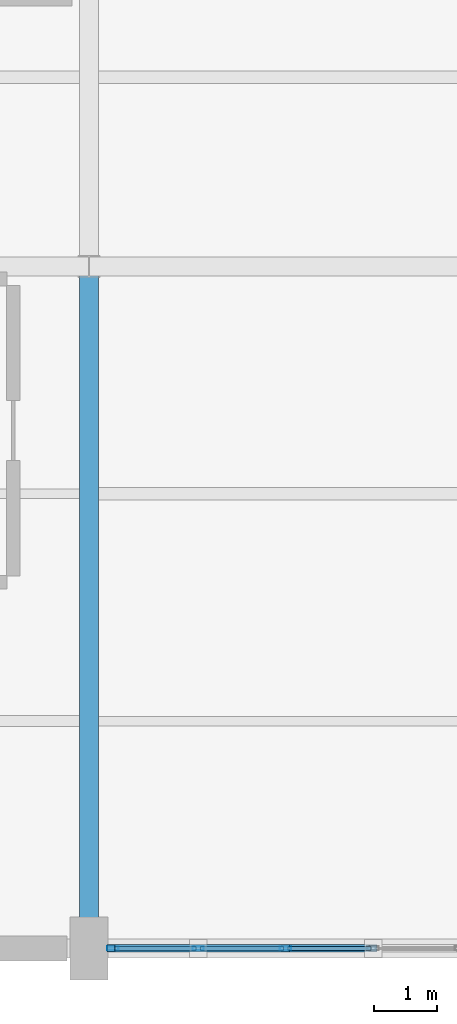
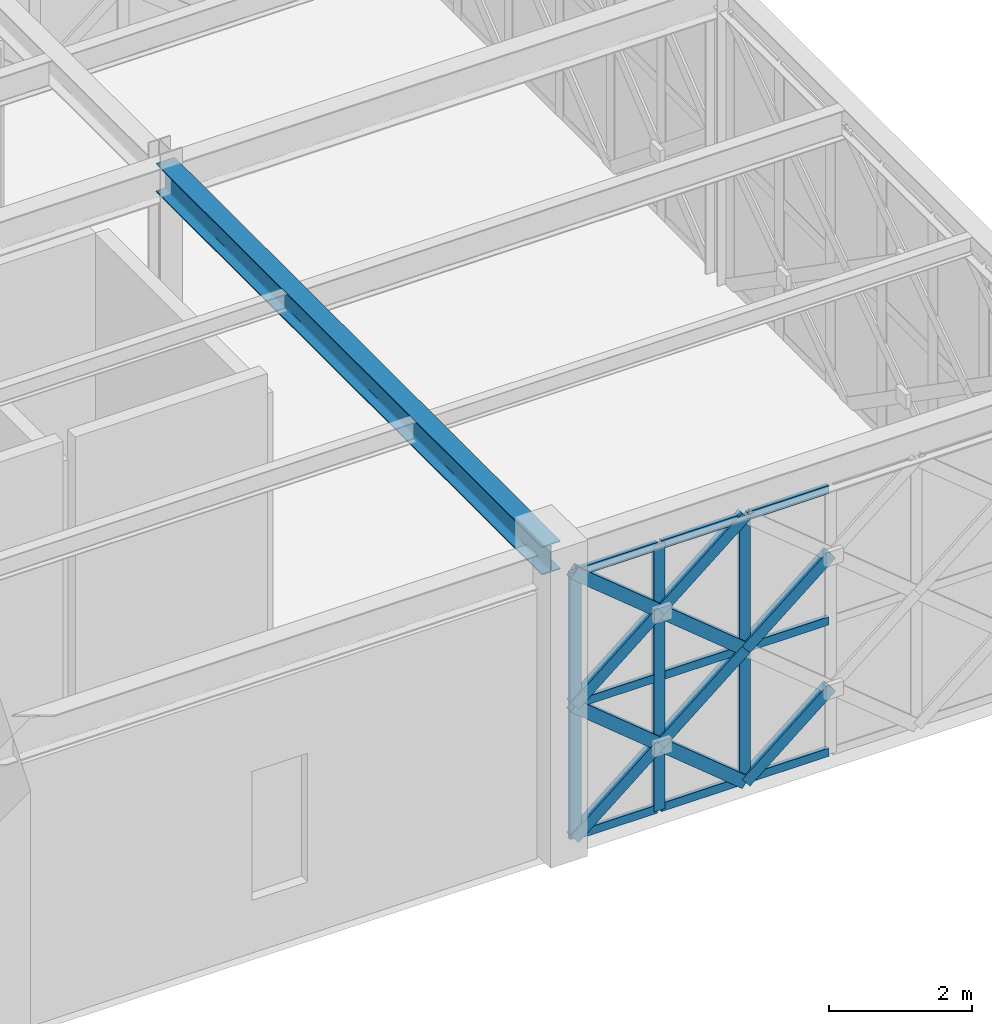
# One storey, part 33 of 166: 20 members, 1 beam, 1 element without a shape of its own.
"""IFC4 building model written with IfcOpenShell, lengths in metres."""

from ifc_helpers import new_model, si_unit, direction, frame, origin, origin_2d, place, context, subcontext, project, spatial, hollow_rectangle, i_section, extrude, material, material_profile, profile_set, type_object, element, aggregate, save


model = new_model("IFC4")

# Units and contexts
model_context = context("Model", 3, precision=1e-05, world=origin(), true_north=direction((0.0, 1.0)))
body_context = subcontext(model_context, "Body", "Model", "MODEL_VIEW")
ifc_project = project(units=[si_unit("LENGTHUNIT", "METRE"), si_unit("AREAUNIT", "SQUARE_METRE"), si_unit("VOLUMEUNIT", "CUBIC_METRE"), si_unit("PLANEANGLEUNIT", "RADIAN"), si_unit("MASSUNIT", "GRAM", prefix="KILO")], contexts=[model_context])

# Site, building, storey
site_placement = place(None, origin())
site = spatial("IfcSite", under=ifc_project, at=site_placement, CompositionType="ELEMENT")
building_placement = place(site_placement, origin())
building = spatial("IfcBuilding", under=site, at=building_placement, Name="Haizhuo Lancet Aquarium", CompositionType="ELEMENT")
storey_placement = place(building_placement, frame((0.0, 0.0, 5.39990234375)))
storey = spatial("IfcBuildingStorey", under=building, at=storey_placement, Name="L01", CompositionType="ELEMENT", Elevation=5.39990234375)

# Beam
ifc_material_1 = material(Name="Steel S355", Category="steel")
ifc_material_profile_1 = material_profile(ifc_material_1, i_section(OverallWidth=0.300048828125, OverallDepth=0.488037109375, WebThickness=0.010986328125, FlangeThickness=0.01806640625, FilletRadius=0.02392578125, at=origin_2d()), Name="HM 488x300x11x18")
ifc_profile_set_1 = profile_set([ifc_material_profile_1], Name="Steel S355")
beam_type = type_object("IfcBeamType", Name="BM-ST-HM488", PredefinedType="BEAM", material=ifc_profile_set_1)
beam_placement = place(storey_placement, frame((9.0, -55.800048828125, 4.89599609375), z_axis=(0.0, 1.0, 0.0), x_axis=(-1.0, 0.0, 0.0)))
element("IfcBeam", 1, at=beam_placement, inside=storey, type_object=beam_type, Name="L01 V4 primary girder BM-L01-V4-020", PredefinedType="BEAM", context=body_context, shape_type="SweptSolid", body=[
    extrude(i_section(OverallWidth=0.300048828125, OverallDepth=0.488037109375, WebThickness=0.010986328125, FlangeThickness=0.01806640625, FilletRadius=0.02392578125, at=origin_2d()), origin(), (0.0, 0.0, 1.0), 10.800048828125),
])

# Curtain wall, members
ifc_material_2 = material(Name="Aluminium 6063-T6", Category="aluminium")
curtain_wall_type = type_object("IfcCurtainWallType", Name="CWO-8310x4550", PredefinedType="NOTDEFINED", material=ifc_material_2)
curtain_wall_placement = place(storey_placement, origin())
curtain_wall = element("IfcCurtainWall", 2, at=curtain_wall_placement, inside=storey, type_object=curtain_wall_type, Name="L01 curtain wall CW-V4-L01-097", PredefinedType="NOTDEFINED")
ifc_material_profile_2 = material_profile(ifc_material_2, hollow_rectangle(XDim=0.06494140625, YDim=0.179931640625, WallThickness=0.00390625, at=origin_2d()), Name="ALU-M 65x180x4")
ifc_profile_set_2 = profile_set([ifc_material_profile_2], Name="Aluminium 6063-T6")
member_type_1 = type_object("IfcMemberType", Name="CW-MUL-1", PredefinedType="MULLION", material=ifc_profile_set_2)
member_1_placement = place(storey_placement, frame((12.114990234375, -55.800048828125, 0.0), z_axis=(0.0, 0.0, 1.0), x_axis=(0.0, -1.0, 0.0)))
member_1 = element("IfcMember", 3, at=member_1_placement, type_object=member_type_1, Name="CWO-83x45 mullion 5", PredefinedType="MULLION", context=body_context, shape_type="SweptSolid", body=[
    extrude(hollow_rectangle(XDim=0.06494140625, YDim=0.179931640625, WallThickness=0.00390625, at=origin_2d()), origin(), (0.0, 0.0, 1.0), 4.552001953125),
])
member_2_placement = place(storey_placement, frame((10.72998046875, -55.800048828125, 0.0), z_axis=(0.0, 0.0, 1.0), x_axis=(0.0, -1.0, 0.0)))
member_2 = element("IfcMember", 4, at=member_2_placement, type_object=member_type_1, Name="CWO-83x45 mullion 6", PredefinedType="MULLION", context=body_context, shape_type="SweptSolid", body=[
    extrude(hollow_rectangle(XDim=0.06494140625, YDim=0.179931640625, WallThickness=0.00390625, at=origin_2d()), origin(), (0.0, 0.0, 1.0), 4.552001953125),
])
member_3_placement = place(storey_placement, frame((9.3779296875, -55.800048828125, 0.0), z_axis=(0.0, 0.0, 1.0), x_axis=(0.0, -1.0, 0.0)))
member_3 = element("IfcMember", 5, at=member_3_placement, type_object=member_type_1, Name="CWO-83x45 mullion 7", PredefinedType="MULLION", context=body_context, shape_type="SweptSolid", body=[
    extrude(hollow_rectangle(XDim=0.06494140625, YDim=0.179931640625, WallThickness=0.00390625, at=origin_2d()), origin(), (0.0, 0.0, 1.0), 4.552001953125),
])
ifc_material_profile_3 = material_profile(ifc_material_2, hollow_rectangle(XDim=0.06494140625, YDim=0.139892578125, WallThickness=0.00390625, at=origin_2d()), Name="ALU-T 65x140x4")
ifc_profile_set_3 = profile_set([ifc_material_profile_3], Name="Aluminium 6063-T6")
member_type_2 = type_object("IfcMemberType", Name="CW-TRN-1", PredefinedType="NOTDEFINED", material=ifc_profile_set_3)
member_4_placement = place(storey_placement, frame((13.468017578125, -55.800048828125, 0.033203125), z_axis=(-1.0, 0.0, 0.0), x_axis=(0.0, -1.0, 0.0)))
member_4 = element("IfcMember", 6, at=member_4_placement, type_object=member_type_2, Name="CWO-83x45 transom 4.1", ObjectType="TRANSOM", PredefinedType="USERDEFINED", context=body_context, shape_type="SweptSolid", body=[
    extrude(hollow_rectangle(XDim=0.06494140625, YDim=0.139892578125, WallThickness=0.00390625, at=origin_2d()), origin(), (0.0, 0.0, 1.0), 1.320068359375),
])
member_5_placement = place(storey_placement, frame((13.468017578125, -55.800048828125, 2.276123046875), z_axis=(-1.0, 0.0, 0.0), x_axis=(0.0, -1.0, 0.0)))
member_5 = element("IfcMember", 7, at=member_5_placement, type_object=member_type_2, Name="CWO-83x45 transom 4.2", ObjectType="TRANSOM", PredefinedType="USERDEFINED", context=body_context, shape_type="SweptSolid", body=[
    extrude(hollow_rectangle(XDim=0.06494140625, YDim=0.139892578125, WallThickness=0.00390625, at=origin_2d()), origin(), (0.0, 0.0, 1.0), 1.320068359375),
])
member_6_placement = place(storey_placement, frame((13.468017578125, -55.800048828125, 4.51904296875), z_axis=(-1.0, 0.0, 0.0), x_axis=(0.0, -1.0, 0.0)))
member_6 = element("IfcMember", 8, at=member_6_placement, type_object=member_type_2, Name="CWO-83x45 transom 4.3", ObjectType="TRANSOM", PredefinedType="USERDEFINED", context=body_context, shape_type="SweptSolid", body=[
    extrude(hollow_rectangle(XDim=0.06494140625, YDim=0.139892578125, WallThickness=0.00390625, at=origin_2d()), origin(), (0.0, 0.0, 1.0), 1.320068359375),
])
member_7_placement = place(storey_placement, frame((12.0830078125, -55.800048828125, 0.033203125), z_axis=(-1.0, 0.0, 0.0), x_axis=(0.0, -1.0, 0.0)))
member_7 = element("IfcMember", 9, at=member_7_placement, type_object=member_type_2, Name="CWO-83x45 transom 5.1", ObjectType="TRANSOM", PredefinedType="USERDEFINED", context=body_context, shape_type="SweptSolid", body=[
    extrude(hollow_rectangle(XDim=0.06494140625, YDim=0.139892578125, WallThickness=0.00390625, at=origin_2d()), origin(), (0.0, 0.0, 1.0), 1.320068359375),
])
member_8_placement = place(storey_placement, frame((12.0830078125, -55.800048828125, 2.276123046875), z_axis=(-1.0, 0.0, 0.0), x_axis=(0.0, -1.0, 0.0)))
member_8 = element("IfcMember", 10, at=member_8_placement, type_object=member_type_2, Name="CWO-83x45 transom 5.2", ObjectType="TRANSOM", PredefinedType="USERDEFINED", context=body_context, shape_type="SweptSolid", body=[
    extrude(hollow_rectangle(XDim=0.06494140625, YDim=0.139892578125, WallThickness=0.00390625, at=origin_2d()), origin(), (0.0, 0.0, 1.0), 1.320068359375),
])
member_9_placement = place(storey_placement, frame((12.0830078125, -55.800048828125, 4.51904296875), z_axis=(-1.0, 0.0, 0.0), x_axis=(0.0, -1.0, 0.0)))
member_9 = element("IfcMember", 11, at=member_9_placement, type_object=member_type_2, Name="CWO-83x45 transom 5.3", ObjectType="TRANSOM", PredefinedType="USERDEFINED", context=body_context, shape_type="SweptSolid", body=[
    extrude(hollow_rectangle(XDim=0.06494140625, YDim=0.139892578125, WallThickness=0.00390625, at=origin_2d()), origin(), (0.0, 0.0, 1.0), 1.320068359375),
])
member_10_placement = place(storey_placement, frame((10.697998046875, -55.800048828125, 0.033203125), z_axis=(-1.0, 0.0, 0.0), x_axis=(0.0, -1.0, 0.0)))
member_10 = element("IfcMember", 12, at=member_10_placement, type_object=member_type_2, Name="CWO-83x45 transom 6.1", ObjectType="TRANSOM", PredefinedType="USERDEFINED", context=body_context, shape_type="SweptSolid", body=[
    extrude(hollow_rectangle(XDim=0.06494140625, YDim=0.139892578125, WallThickness=0.00390625, at=origin_2d()), origin(), (0.0, 0.0, 1.0), 1.2880859375),
])
member_11_placement = place(storey_placement, frame((10.697998046875, -55.800048828125, 2.276123046875), z_axis=(-1.0, 0.0, 0.0), x_axis=(0.0, -1.0, 0.0)))
member_11 = element("IfcMember", 13, at=member_11_placement, type_object=member_type_2, Name="CWO-83x45 transom 6.2", ObjectType="TRANSOM", PredefinedType="USERDEFINED", context=body_context, shape_type="SweptSolid", body=[
    extrude(hollow_rectangle(XDim=0.06494140625, YDim=0.139892578125, WallThickness=0.00390625, at=origin_2d()), origin(), (0.0, 0.0, 1.0), 1.2880859375),
])
member_12_placement = place(storey_placement, frame((10.697998046875, -55.800048828125, 4.51904296875), z_axis=(-1.0, 0.0, 0.0), x_axis=(0.0, -1.0, 0.0)))
member_12 = element("IfcMember", 14, at=member_12_placement, type_object=member_type_2, Name="CWO-83x45 transom 6.3", ObjectType="TRANSOM", PredefinedType="USERDEFINED", context=body_context, shape_type="SweptSolid", body=[
    extrude(hollow_rectangle(XDim=0.06494140625, YDim=0.139892578125, WallThickness=0.00390625, at=origin_2d()), origin(), (0.0, 0.0, 1.0), 1.2880859375),
])
aggregate(curtain_wall, [member_1, member_2, member_3, member_4, member_5, member_6, member_7, member_8, member_9, member_10, member_11, member_12])

# Members
ifc_material_profile_4 = material_profile(ifc_material_1, hollow_rectangle(XDim=0.1201171875, YDim=0.199951171875, WallThickness=0.008056640625, at=origin_2d()), Name="RHS 120x200x8")
ifc_profile_set_4 = profile_set([ifc_material_profile_4], Name="Steel S355")
member_type_3 = type_object("IfcMemberType", Name="MEM-LB-RHS120x200", PredefinedType="BRACE", material=ifc_profile_set_4)
member_13_placement = place(storey_placement, frame((12.114990234375, -55.800048828125, 0.0), z_axis=(0.77259025699, 0.0, 0.634904949425), x_axis=(0.0, 1.0, 0.0)))
element("IfcMember", 15, at=member_13_placement, inside=storey, type_object=member_type_3, Name="Gothic lancet split diagonal brace CW-V4-L01-097 3B1", PredefinedType="BRACE", context=body_context, shape_type="SweptSolid", body=[
    extrude(hollow_rectangle(XDim=0.1201171875, YDim=0.199951171875, WallThickness=0.008056640625, at=origin_2d()), origin(), (0.0, 0.0, 1.0), 1.792724609375),
])
member_14_placement = place(storey_placement, frame((12.114990234375, -55.800048828125, 2.276123046875), z_axis=(0.772657061245, 0.0, 0.634823649298), x_axis=(0.0, 1.0, 0.0)))
element("IfcMember", 16, at=member_14_placement, inside=storey, type_object=member_type_3, Name="Gothic lancet split diagonal brace CW-V4-L01-097 4B1", PredefinedType="BRACE", context=body_context, shape_type="SweptSolid", body=[
    extrude(hollow_rectangle(XDim=0.1201171875, YDim=0.199951171875, WallThickness=0.008056640625, at=origin_2d()), origin(), (0.0, 0.0, 1.0), 1.79248046875),
])
member_15_placement = place(storey_placement, frame((12.114990234375, -55.800048828125, 0.0), z_axis=(-0.772623658743, 0.0, 0.634864301997), x_axis=(0.0, -1.0, 0.0)))
element("IfcMember", 17, at=member_15_placement, inside=storey, type_object=member_type_3, Name="Gothic lancet continuous diagonal brace CW-V4-L01-097 5A", PredefinedType="BRACE", context=body_context, shape_type="SweptSolid", body=[
    extrude(hollow_rectangle(XDim=0.1201171875, YDim=0.199951171875, WallThickness=0.008056640625, at=origin_2d()), origin(), (0.0, 0.0, 1.0), 3.585205078125),
])
member_16_placement = place(storey_placement, frame((9.344970703125, -55.800048828125, 0.0), z_axis=(0.77259025699, 0.0, 0.634904949425), x_axis=(0.0, 1.0, 0.0)))
element("IfcMember", 18, at=member_16_placement, inside=storey, type_object=member_type_3, Name="Gothic lancet split diagonal brace CW-V4-L01-097 5B1", PredefinedType="BRACE", context=body_context, shape_type="SweptSolid", body=[
    extrude(hollow_rectangle(XDim=0.1201171875, YDim=0.199951171875, WallThickness=0.008056640625, at=origin_2d()), origin(), (0.0, 0.0, 1.0), 1.792724609375),
])
member_17_placement = place(storey_placement, frame((10.72998046875, -55.800048828125, 1.13818359375), z_axis=(0.772657061245, 0.0, 0.634823649298), x_axis=(0.0, 1.0, 0.0)))
element("IfcMember", 19, at=member_17_placement, inside=storey, type_object=member_type_3, Name="Gothic lancet split diagonal brace CW-V4-L01-097 5B2", PredefinedType="BRACE", context=body_context, shape_type="SweptSolid", body=[
    extrude(hollow_rectangle(XDim=0.1201171875, YDim=0.199951171875, WallThickness=0.008056640625, at=origin_2d()), origin(), (0.0, 0.0, 1.0), 1.79248046875),
])
member_18_placement = place(storey_placement, frame((12.114990234375, -55.800048828125, 2.276123046875), z_axis=(-0.772657061245, 0.0, 0.634823649298), x_axis=(0.0, -1.0, 0.0)))
element("IfcMember", 20, at=member_18_placement, inside=storey, type_object=member_type_3, Name="Gothic lancet continuous diagonal brace CW-V4-L01-097 6A", PredefinedType="BRACE", context=body_context, shape_type="SweptSolid", body=[
    extrude(hollow_rectangle(XDim=0.1201171875, YDim=0.199951171875, WallThickness=0.008056640625, at=origin_2d()), origin(), (0.0, 0.0, 1.0), 3.5849609375),
])
for number, where, z_axis, x_axis, name in (
    (21, (9.344970703125, -55.800048828125, 2.276123046875), (0.772657061245, 0.0, 0.634823649298), (0.0, 1.0, 0.0), "Gothic lancet split diagonal brace CW-V4-L01-097 6B1"),
    (22, (10.72998046875, -55.800048828125, 3.4140625), (0.772657061245, 0.0, 0.634823649298), (0.0, 1.0, 0.0), "Gothic lancet split diagonal brace CW-V4-L01-097 6B2"),
):
    element("IfcMember", number, at=place(storey_placement, frame(where, z_axis=z_axis, x_axis=x_axis)), inside=storey, type_object=member_type_3, Name=name, PredefinedType="BRACE", context=body_context, shape_type="SweptSolid", body=[
        extrude(hollow_rectangle(XDim=0.1201171875, YDim=0.199951171875, WallThickness=0.008056640625, at=origin_2d()), origin(), (0.0, 0.0, 1.0), 1.79248046875),
    ])

save(model, "model.ifc")
